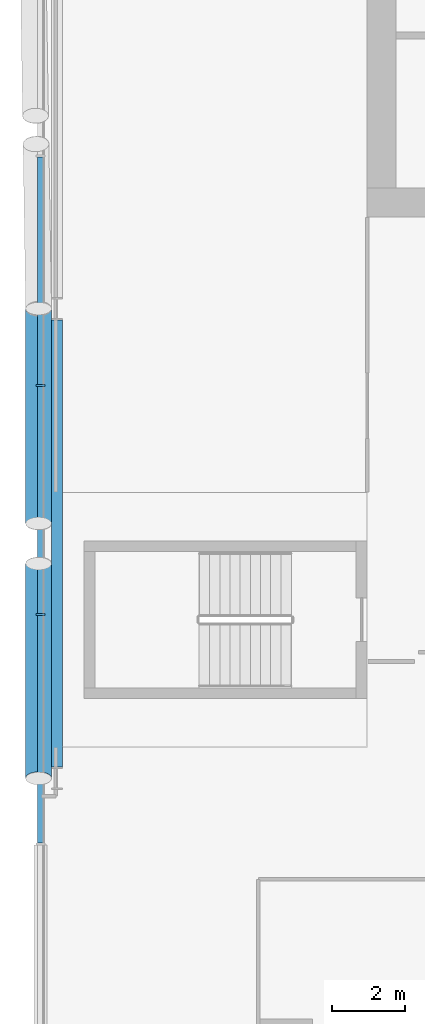
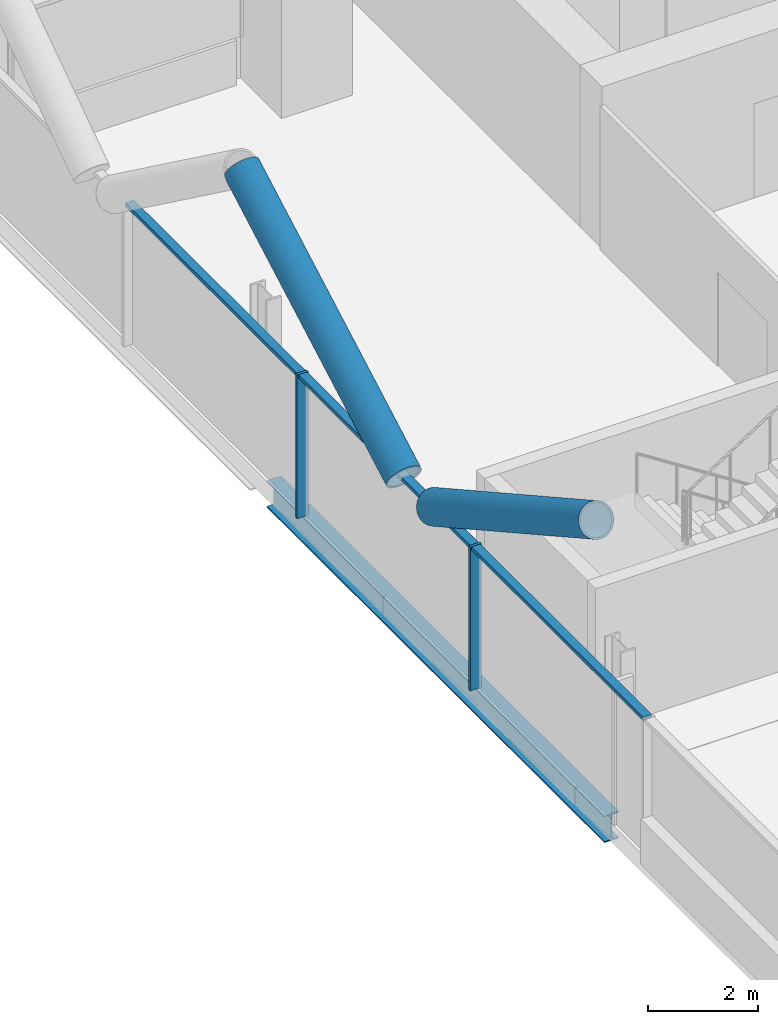
# One storey, part 7 of 26: 7 members, 1 beam, 1 element without a shape of its own.
"""IFC4 building model written with IfcOpenShell, lengths in metres."""

from ifc_helpers import new_model, si_unit, direction, frame, origin, origin_2d, place, context, subcontext, project, spatial, rectangle, hollow_circle, i_section, extrude, material, material_profile, profile_set, type_object, element, aggregate, save


model = new_model("IFC4")

# Units and contexts
model_context = context("Model", 3, precision=1e-05, world=origin(), true_north=direction((0.0, 1.0)))
body_context = subcontext(model_context, "Body", "Model", "MODEL_VIEW")
ifc_project = project(units=[si_unit("LENGTHUNIT", "METRE"), si_unit("AREAUNIT", "SQUARE_METRE"), si_unit("VOLUMEUNIT", "CUBIC_METRE"), si_unit("PLANEANGLEUNIT", "RADIAN"), si_unit("MASSUNIT", "GRAM", prefix="KILO")], contexts=[model_context])

# Site, building, storey
site_placement = place(None, origin())
site = spatial("IfcSite", under=ifc_project, at=site_placement, CompositionType="ELEMENT")
building_placement = place(site_placement, origin())
building = spatial("IfcBuilding", under=site, at=building_placement, Name="Wharfspan Tower", CompositionType="ELEMENT")
storey_placement = place(building_placement, frame((0.0, 0.0, 166.300049)))
storey = spatial("IfcBuildingStorey", under=building, at=storey_placement, Name="L40", CompositionType="ELEMENT", Elevation=166.300049)

# Beam
ifc_material_1 = material(Name="Steel S355J2", Category="steel")
ifc_material_profile_1 = material_profile(ifc_material_1, i_section(OverallWidth=0.300049, OverallDepth=0.600098, WebThickness=0.015381, FlangeThickness=0.030029, FilletRadius=0.0271, at=origin_2d()))
ifc_profile_set_1 = profile_set([ifc_material_profile_1], Name="Steel S355J2")
beam_type = type_object("IfcBeamType", Name="Edge beam HEB 600", PredefinedType="SPANDREL", material=ifc_profile_set_1)
beam_placement = place(storey_placement, frame((7.449951, 31.160645, -0.699951), z_axis=(0.0, -1.0, 0.0), x_axis=(1.0, 0.0, 0.0)))
element("IfcBeam", 1, at=beam_placement, inside=storey, type_object=beam_type, Name="Edge beam W L40 PW.1 to PW.2", PredefinedType="SPANDREL", context=body_context, shape_type="SweptSolid", body=[
    extrude(i_section(OverallWidth=0.300049, OverallDepth=0.600098, WebThickness=0.015381, FlangeThickness=0.030029, FilletRadius=0.0271, at=origin_2d()), origin(), (0.0, 0.0, 1.0), 12.321289),
])

# Curtain wall, members
ifc_material_2 = material(Name="Aluminium 6063-T6", Category="aluminium")
curtain_wall_type = type_object("IfcCurtainWallType", Name="CURTAIN WALL PROW AND END", PredefinedType="NOTDEFINED", material=ifc_material_2)
curtain_wall_placement = place(storey_placement, origin())
curtain_wall = element("IfcCurtainWall", 2, at=curtain_wall_placement, inside=storey, type_object=curtain_wall_type, Name="Curtain wall W", PredefinedType="NOTDEFINED")
ifc_material_profile_2 = material_profile(ifc_material_2, rectangle(XDim=0.23999, YDim=0.060059, at=origin_2d()))
ifc_profile_set_2 = profile_set([ifc_material_profile_2], Name="Aluminium 6063-T6")
member_type_1 = type_object("IfcMemberType", Name="MULLION PROW AND END 60x240", PredefinedType="MULLION", material=ifc_profile_set_2)
member_1_placement = place(storey_placement, frame((7.0, 29.360107, 0.0), z_axis=(0.0, 0.0, 1.0), x_axis=(1.0, 0.0, 0.0)))
member_1 = element("IfcMember", 3, at=member_1_placement, type_object=member_type_1, Name="Curtain wall W mullion 3", PredefinedType="MULLION", context=body_context, shape_type="SweptSolid", body=[
    extrude(rectangle(XDim=0.23999, YDim=0.060059, at=origin_2d()), origin(), (0.0, 0.0, 1.0), 3.199951),
])
member_2_placement = place(storey_placement, frame((7.0, 23.040039, 0.0), z_axis=(0.0, 0.0, 1.0), x_axis=(1.0, 0.0, 0.0)))
member_2 = element("IfcMember", 4, at=member_2_placement, type_object=member_type_1, Name="Curtain wall W mullion 4", PredefinedType="MULLION", context=body_context, shape_type="SweptSolid", body=[
    extrude(rectangle(XDim=0.23999, YDim=0.060059, at=origin_2d()), origin(), (0.0, 0.0, 1.0), 3.199951),
])

# Members
ifc_material_3 = material(Name="Steel S460NH", Category="steel")
ifc_material_profile_3 = material_profile(ifc_material_3, hollow_circle(Radius=0.355469, WallThickness=0.035889, at=origin_2d()))
ifc_profile_set_3 = profile_set([ifc_material_profile_3], Name="Steel S460NH")
member_type_2 = type_object("IfcMemberType", Name="Mega brace CHS 711x36", PredefinedType="BRACE", material=ifc_profile_set_3)
for number, where, z_axis, x_axis, name in (
    (5, (6.945068, 24.445557, 3.208496), (0.0, -0.873718, 0.486433), (1.0, 0.0, 0.0), "Mega brace W3 L40 part 2"),
    (6, (6.945068, 25.554443, 3.208496), (0.0, 0.873718, 0.486433), (-1.0, 0.0, 0.0), "Mega brace W3 L40 part 4"),
):
    element("IfcMember", number, at=place(storey_placement, frame(where, z_axis=z_axis, x_axis=x_axis)), inside=storey, type_object=member_type_2, Name=name, PredefinedType="BRACE", context=body_context, shape_type="SweptSolid", body=[
        extrude(hollow_circle(Radius=0.355469, WallThickness=0.035889, at=origin_2d()), origin(), (0.0, 0.0, 1.0), 6.766602),
    ])

# Member
ifc_material_profile_4 = material_profile(ifc_material_2, rectangle(XDim=0.179932, YDim=0.080078, at=origin_2d()))
ifc_profile_set_4 = profile_set([ifc_material_profile_4], Name="Aluminium 6063-T6")
member_type_3 = type_object("IfcMemberType", Name="TRANSOM PROW AND END 80x180", PredefinedType="USERDEFINED", material=ifc_profile_set_4)
member_3_placement = place(storey_placement, frame((7.0, 35.649902, 3.159912), z_axis=(0.0, -1.0, 0.0), x_axis=(1.0, 0.0, 0.0)))
member_3 = element("IfcMember", 7, at=member_3_placement, type_object=member_type_3, Name="Curtain wall W transom 2", ObjectType="TRANSOM", PredefinedType="USERDEFINED", context=body_context, shape_type="SweptSolid", body=[
    extrude(rectangle(XDim=0.179932, YDim=0.080078, at=origin_2d()), origin(), (0.0, 0.0, 1.0), 6.26001),
])

member_4_placement = place(storey_placement, frame((7.0, 29.330078, 3.159912), z_axis=(0.0, -1.0, 0.0), x_axis=(1.0, 0.0, 0.0)))
member_4 = element("IfcMember", 8, at=member_4_placement, type_object=member_type_3, Name="Curtain wall W transom 3", ObjectType="TRANSOM", PredefinedType="USERDEFINED", context=body_context, shape_type="SweptSolid", body=[
    extrude(rectangle(XDim=0.179932, YDim=0.080078, at=origin_2d()), origin(), (0.0, 0.0, 1.0), 6.26001),
])

member_5_placement = place(storey_placement, frame((7.0, 23.01001, 3.159912), z_axis=(0.0, -1.0, 0.0), x_axis=(1.0, 0.0, 0.0)))
member_5 = element("IfcMember", 9, at=member_5_placement, type_object=member_type_3, Name="Curtain wall W transom 4", ObjectType="TRANSOM", PredefinedType="USERDEFINED", context=body_context, shape_type="SweptSolid", body=[
    extrude(rectangle(XDim=0.179932, YDim=0.080078, at=origin_2d()), origin(), (0.0, 0.0, 1.0), 6.26001),
])

aggregate(curtain_wall, [member_1, member_2, member_3, member_4, member_5])

save(model, "model.ifc")
